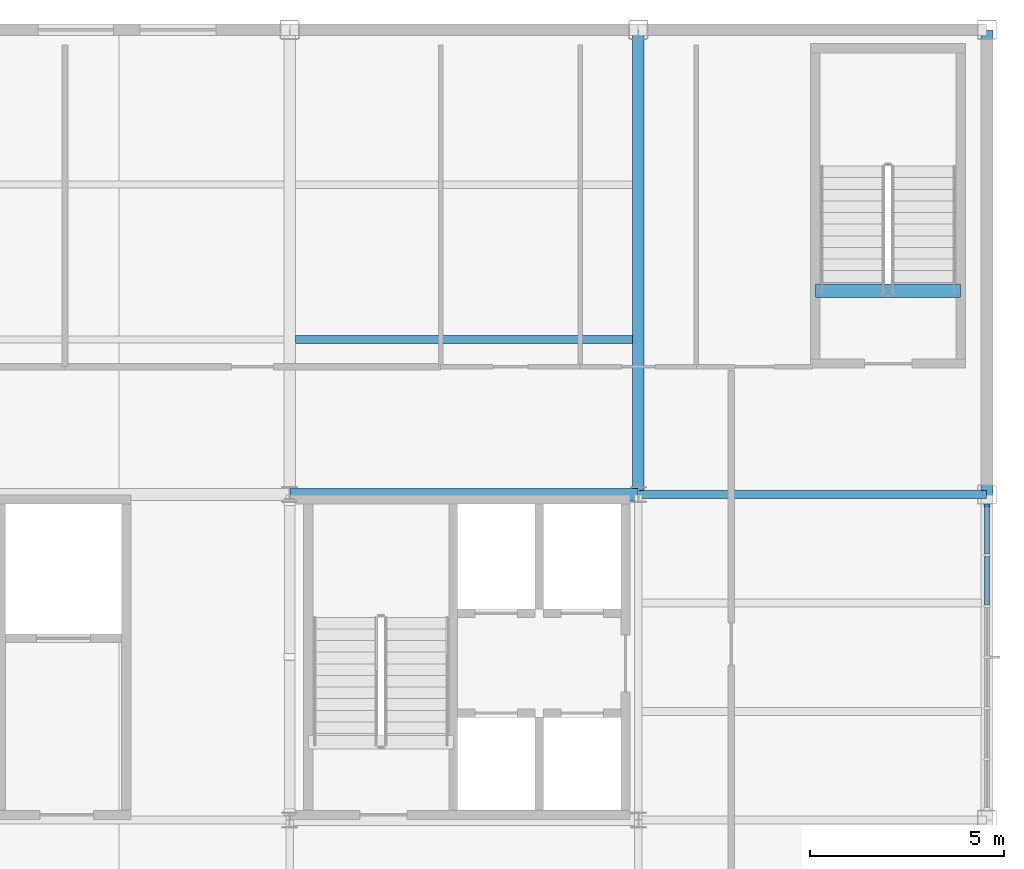
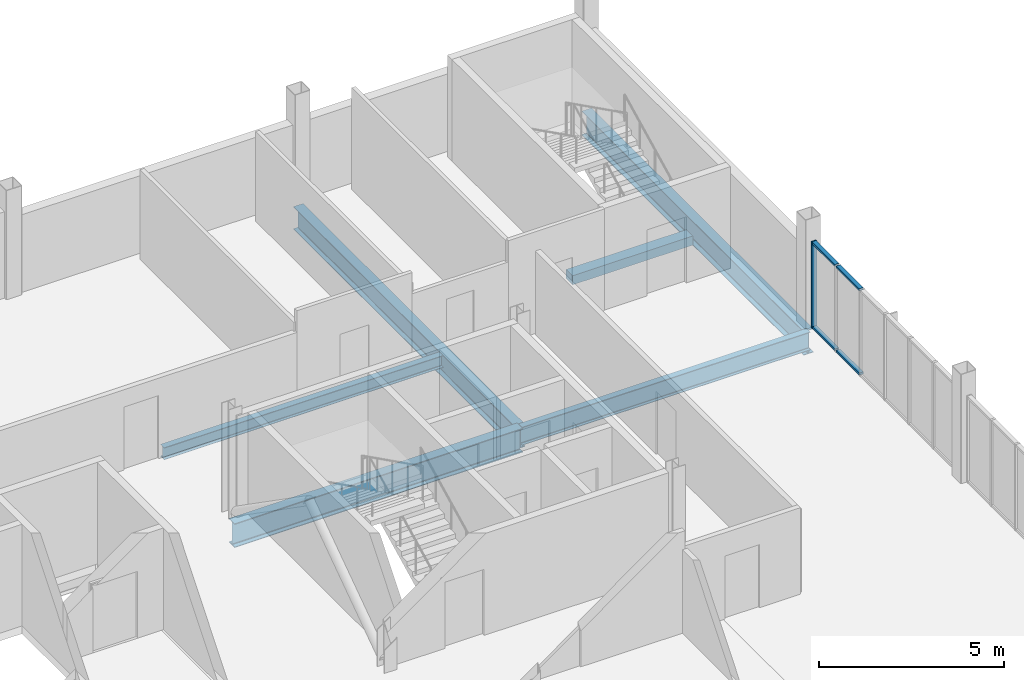
# One storey, part 8 of 20: 6 beams, 5 members, 1 element without a shape of its own.
"""IFC4 building model written with IfcOpenShell, lengths in metres."""

from ifc_helpers import new_model, si_unit, direction, frame, origin, origin_2d, place, context, subcontext, project, spatial, rectangle, i_section, extrude, material, layer, layer_set, material_profile, profile_set, type_object, element, aggregate, save


model = new_model("IFC4")

# Units and contexts
model_context = context("Model", 3, precision=1e-05, world=origin(), true_north=direction((0.0, 1.0)))
body_context = subcontext(model_context, "Body", "Model", "MODEL_VIEW")
ifc_project = project(units=[si_unit("LENGTHUNIT", "METRE"), si_unit("AREAUNIT", "SQUARE_METRE"), si_unit("VOLUMEUNIT", "CUBIC_METRE"), si_unit("PLANEANGLEUNIT", "RADIAN"), si_unit("MASSUNIT", "GRAM", prefix="KILO")], contexts=[model_context])

# Site, building, storey
site_placement = place(None, origin())
site = spatial("IfcSite", under=ifc_project, at=site_placement, CompositionType="ELEMENT")
building_placement = place(site_placement, origin())
building = spatial("IfcBuilding", under=site, at=building_placement, Name="Yukiwa Park Conservatory and Herbarium", CompositionType="ELEMENT")
storey_placement = place(building_placement, frame((0.0, 0.0, 28.199951171875)))
storey = spatial("IfcBuildingStorey", under=building, at=storey_placement, Name="L07", CompositionType="ELEMENT", Elevation=28.199951171875)

# Beams
ifc_material_1 = material(Name="Steel Q355D", Category="steel")
ifc_material_profile_1 = material_profile(ifc_material_1, i_section(OverallWidth=0.199951171875, OverallDepth=0.60009765625, WebThickness=0.010986328125, FlangeThickness=0.01708984375, FilletRadius=0.02197265625, at=origin_2d()), Name="HN 600x200x11x17")
ifc_profile_set_1 = profile_set([ifc_material_profile_1], Name="Steel Q355D")
beam_type_1 = type_object("IfcBeamType", Name="BM-GRD-HN600", PredefinedType="BEAM", material=ifc_profile_set_1)
beam_1_placement = place(storey_placement, frame((159.006103515625, 103.199951171875, -0.554931640625), z_axis=(1.0, 0.0, 0.0), x_axis=(0.0, 1.0, 0.0)))
element("IfcBeam", 1, at=beam_1_placement, inside=storey, type_object=beam_type_1, Name="L07 grid beam X-23", PredefinedType="BEAM", context=body_context, shape_type="SweptSolid", body=[
    extrude(i_section(OverallWidth=0.199951171875, OverallDepth=0.60009765625, WebThickness=0.010986328125, FlangeThickness=0.01708984375, FilletRadius=0.02197265625, at=origin_2d()), origin(), (0.0, 0.0, 1.0), 8.98779296875),
])
ifc_material_2 = material(Name="Steel Q355D", Category="steel")
ifc_material_profile_2 = material_profile(ifc_material_2, i_section(OverallWidth=0.300048828125, OverallDepth=0.75, WebThickness=0.012939453125, FlangeThickness=0.02392578125, FilletRadius=0.028076171875, at=origin_2d()), Name="HN 750x300x13x24")
ifc_profile_set_2 = profile_set([ifc_material_profile_2], Name="Steel Q355D")
beam_type_2 = type_object("IfcBeamType", Name="BM-GRD-HN750", PredefinedType="BEAM", material=ifc_profile_set_2)
beam_2_placement = place(storey_placement, frame((159.0, 103.2060546875, -0.6298828125), z_axis=(0.0, 1.0, 0.0), x_axis=(-1.0, 0.0, 0.0)))
element("IfcBeam", 2, at=beam_2_placement, inside=storey, type_object=beam_type_2, Name="L07 grid girder Y-49", PredefinedType="BEAM", context=body_context, shape_type="SweptSolid", body=[
    extrude(i_section(OverallWidth=0.300048828125, OverallDepth=0.75, WebThickness=0.012939453125, FlangeThickness=0.02392578125, FilletRadius=0.028076171875, at=origin_2d()), origin(), (0.0, 0.0, 1.0), 11.988037109375),
])
ifc_material_3 = material(Name="Steel Q355D", Category="steel")
ifc_material_profile_3 = material_profile(ifc_material_3, i_section(OverallWidth=0.199951171875, OverallDepth=0.39990234375, WebThickness=0.008056640625, FlangeThickness=0.012939453125, FilletRadius=0.01611328125, at=origin_2d()), Name="HN 400x200x8x13")
ifc_profile_set_3 = profile_set([ifc_material_profile_3], Name="Steel Q355D")
beam_type_3 = type_object("IfcBeamType", Name="BM-JST-HN400", PredefinedType="JOIST", material=ifc_profile_set_3)
beam_3_placement = place(storey_placement, frame((150.14599609375, 107.199951171875, -0.454833984375), z_axis=(1.0, 0.0, 0.0), x_axis=(0.0, 1.0, 0.0)))
element("IfcBeam", 3, at=beam_3_placement, inside=storey, type_object=beam_type_3, Name="L07 composite floor joist 25", PredefinedType="JOIST", context=body_context, shape_type="SweptSolid", body=[
    extrude(i_section(OverallWidth=0.199951171875, OverallDepth=0.39990234375, WebThickness=0.008056640625, FlangeThickness=0.012939453125, FilletRadius=0.01611328125, at=origin_2d()), origin(), (0.0, 0.0, 1.0), 8.7080078125),
])
ifc_material_4 = material(Name="Steel Q355D", Category="steel")
ifc_material_profile_4 = material_profile(ifc_material_4, i_section(OverallWidth=0.300048828125, OverallDepth=0.7919921875, WebThickness=0.013916015625, FlangeThickness=0.02197265625, FilletRadius=0.028076171875, at=origin_2d()), Name="HN 792x300x14x22")
ifc_profile_set_4 = profile_set([ifc_material_profile_4], Name="Steel Q355D")
beam_type_4 = type_object("IfcBeamType", Name="BM-SPN-HN600", PredefinedType="SPANDREL", material=ifc_profile_set_4)
beam_4_placement = place(storey_placement, frame((150.006103515625, 103.199951171875, -0.65087890625), z_axis=(1.0, 0.0, 0.0), x_axis=(0.0, 1.0, 0.0)))
element("IfcBeam", 4, at=beam_4_placement, inside=storey, type_object=beam_type_4, Name="L07 spandrel beam X-22", PredefinedType="SPANDREL", context=body_context, shape_type="SweptSolid", body=[
    extrude(i_section(OverallWidth=0.300048828125, OverallDepth=0.7919921875, WebThickness=0.013916015625, FlangeThickness=0.02197265625, FilletRadius=0.028076171875, at=origin_2d()), origin(), (0.0, 0.0, 1.0), 8.98779296875),
])
beam_5_placement = place(storey_placement, frame((168.0, 103.2060546875, -0.65087890625), z_axis=(0.0, 1.0, 0.0), x_axis=(-1.0, 0.0, 0.0)))
element("IfcBeam", 5, at=beam_5_placement, inside=storey, type_object=beam_type_4, Name="L07 spandrel girder Y-53", PredefinedType="SPANDREL", context=body_context, shape_type="SweptSolid", body=[
    extrude(i_section(OverallWidth=0.300048828125, OverallDepth=0.7919921875, WebThickness=0.013916015625, FlangeThickness=0.02197265625, FilletRadius=0.028076171875, at=origin_2d()), origin(), (0.0, 0.0, 1.0), 11.988037109375),
])
ifc_material_5 = material(Name="Concrete C40", Category="concrete")
ifc_material_profile_5 = material_profile(ifc_material_5, rectangle(XDim=0.35009765625, YDim=0.300048828125, at=origin_2d()), Name="RC 350x300")
ifc_profile_set_5 = profile_set([ifc_material_profile_5], Name="Concrete C40")
beam_type_5 = type_object("IfcBeamType", Name="BM-STAIR-TRIM", PredefinedType="BEAM", material=ifc_profile_set_5)
beam_6_placement = place(storey_placement, frame((163.570068359375, 108.4599609375, -0.14990234375), z_axis=(1.0, 0.0, 0.0), x_axis=(0.0, 1.0, 0.0)))
element("IfcBeam", 6, at=beam_6_placement, inside=storey, type_object=beam_type_5, Name="Stair ST-T3 L07 landing trimmer beam", PredefinedType="BEAM", context=body_context, shape_type="SweptSolid", body=[
    extrude(rectangle(XDim=0.35009765625, YDim=0.300048828125, at=origin_2d()), origin(), (0.0, 0.0, 1.0), 3.75),
])

# Curtain wall, members
ifc_material_6 = material(Name="Triple Low-E Insulated Glass", Category="glass")
ifc_layer = layer(ifc_material_6, 0.22412109375)
ifc_layer_set = layer_set([ifc_layer], Name="Triple Low-E Insulated Glass")
curtain_wall_type = type_object("IfcCurtainWallType", Name="CW-TOWER-CORNER-1400", PredefinedType="NOTDEFINED", material=ifc_layer_set)
curtain_wall_placement = place(storey_placement, origin())
curtain_wall = element("IfcCurtainWall", 7, at=curtain_wall_placement, inside=storey, type_object=curtain_wall_type, Name="L07 unitised curtain wall CW-L07-092", PredefinedType="NOTDEFINED")
ifc_material_7 = material(Name="Anodised Aluminium", Category="aluminium")
member_type_1 = type_object("IfcMemberType", Name="MB-CW-MUL-70X150", PredefinedType="MULLION", material=ifc_material_7)
member_1_placement = place(storey_placement, frame((168.0, 102.9150390625, 0.0), z_axis=(0.0, 0.0, 1.0), x_axis=(0.0, 1.0, 0.0)))
member_1 = element("IfcMember", 8, at=member_1_placement, type_object=member_type_1, Name="CW-L07-092 mullion 7", PredefinedType="MULLION", context=body_context, shape_type="SweptSolid", body=[
    extrude(rectangle(XDim=0.070068359375, YDim=0.14990234375, at=origin_2d()), origin(), (0.0, 0.0, 1.0), 2.85205078125),
])
ifc_material_8 = material(Name="Anodised Aluminium", Category="aluminium")
member_type_2 = type_object("IfcMemberType", Name="MB-CW-TRN-70X130", PredefinedType="USERDEFINED", material=ifc_material_8)
member_2_placement = place(storey_placement, frame((168.0, 100.97509765625, 0.0), z_axis=(0.0, 0.0, 1.0), x_axis=(0.0, 1.0, 0.0)))
member_2 = element("IfcMember", 9, at=member_2_placement, type_object=member_type_2, Name="CW-L07-092 transom 5.1", ObjectType="TRANSOM", PredefinedType="USERDEFINED", context=body_context, shape_type="SweptSolid", body=[
    extrude(rectangle(XDim=1.24658203125, YDim=0.1298828125, at=origin_2d()), origin(), (0.0, 0.0, 1.0), 0.070068359375),
])
member_3_placement = place(storey_placement, frame((168.0, 100.97509765625, 2.7822265625), z_axis=(0.0, 0.0, 1.0), x_axis=(0.0, 1.0, 0.0)))
member_3 = element("IfcMember", 10, at=member_3_placement, type_object=member_type_2, Name="CW-L07-092 transom 5.2", ObjectType="TRANSOM", PredefinedType="USERDEFINED", context=body_context, shape_type="SweptSolid", body=[
    extrude(rectangle(XDim=1.24658203125, YDim=0.1298828125, at=origin_2d()), origin(), (0.0, 0.0, 1.0), 0.070068359375),
])
member_4_placement = place(storey_placement, frame((168.0, 102.291748046875, 0.0), z_axis=(0.0, 0.0, 1.0), x_axis=(0.0, 1.0, 0.0)))
member_4 = element("IfcMember", 11, at=member_4_placement, type_object=member_type_2, Name="CW-L07-092 transom 6.1", ObjectType="TRANSOM", PredefinedType="USERDEFINED", context=body_context, shape_type="SweptSolid", body=[
    extrude(rectangle(XDim=1.24658203125, YDim=0.1298828125, at=origin_2d()), origin(), (0.0, 0.0, 1.0), 0.070068359375),
])
member_5_placement = place(storey_placement, frame((168.0, 102.291748046875, 2.7822265625), z_axis=(0.0, 0.0, 1.0), x_axis=(0.0, 1.0, 0.0)))
member_5 = element("IfcMember", 12, at=member_5_placement, type_object=member_type_2, Name="CW-L07-092 transom 6.2", ObjectType="TRANSOM", PredefinedType="USERDEFINED", context=body_context, shape_type="SweptSolid", body=[
    extrude(rectangle(XDim=1.24658203125, YDim=0.1298828125, at=origin_2d()), origin(), (0.0, 0.0, 1.0), 0.070068359375),
])
aggregate(curtain_wall, [member_1, member_2, member_3, member_4, member_5])

save(model, "model.ifc")
